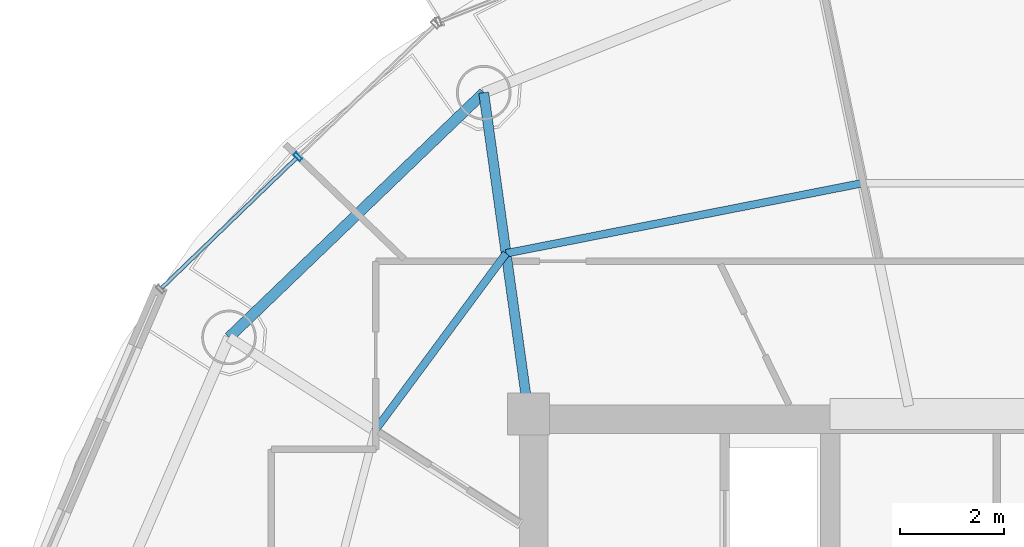
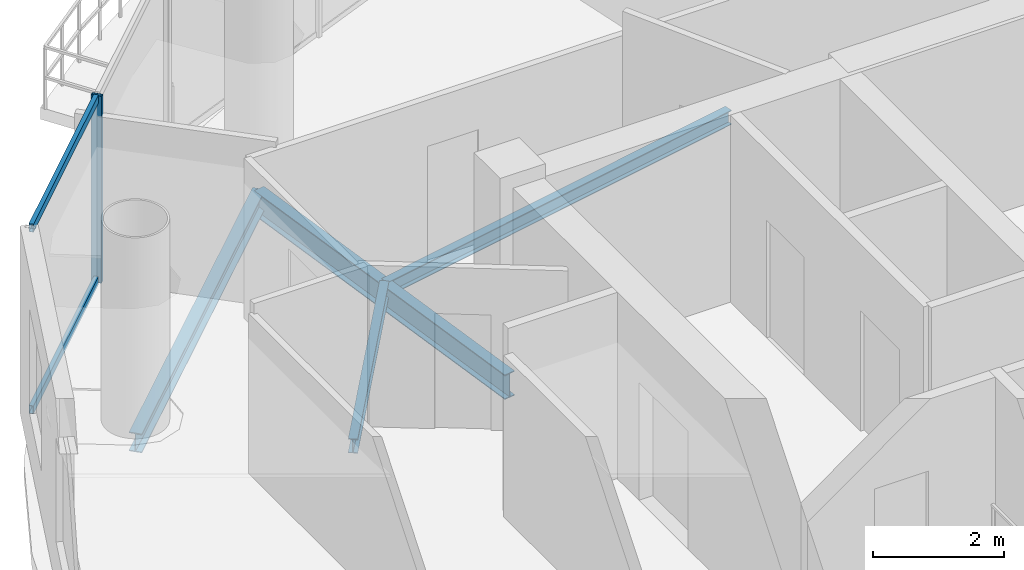
# One storey, part 9 of 24: 4 beams, 3 members, 1 element without a shape of its own.
"""IFC4 building model written with IfcOpenShell, lengths in metres."""

from ifc_helpers import new_model, si_unit, direction, frame, origin, origin_2d, place, context, subcontext, project, spatial, hollow_rectangle, i_section, extrude, source, transform, mapped, material, material_profile, profile_set, type_object, element, aggregate, save


model = new_model("IFC4")

# Units and contexts
model_context = context("Model", 3, precision=1e-05, world=origin(), true_north=direction((-0.2419218956, 0.970295726276)))
body_context = subcontext(model_context, "Body", "Model", "MODEL_VIEW")
ifc_project = project(units=[si_unit("LENGTHUNIT", "METRE"), si_unit("AREAUNIT", "SQUARE_METRE"), si_unit("VOLUMEUNIT", "CUBIC_METRE"), si_unit("PLANEANGLEUNIT", "RADIAN"), si_unit("MASSUNIT", "GRAM", prefix="KILO")], contexts=[model_context])

# Site, building, storey
site_placement = place(None, origin())
site = spatial("IfcSite", under=ifc_project, at=site_placement, CompositionType="ELEMENT")
building_placement = place(site_placement, origin())
building = spatial("IfcBuilding", under=site, at=building_placement, Name="Cobrevalo Terracotta Tower", CompositionType="ELEMENT")
storey_placement = place(building_placement, frame((0.0, 0.0, 278.199951171875)))
storey = spatial("IfcBuildingStorey", under=building, at=storey_placement, Name="L73", CompositionType="ELEMENT", Elevation=278.199951171875)

# Beams
ifc_material_1 = material(Name="Steel S355", Category="steel")
ifc_material_profile_1 = material_profile(ifc_material_1, i_section(OverallWidth=0.19091796875, OverallDepth=0.4599609375, WebThickness=0.010009765625, FlangeThickness=0.01611328125, at=origin_2d()), Name="W 460x82")
ifc_profile_set_1 = profile_set([ifc_material_profile_1], Name="Steel S355")
beam_type_1 = type_object("IfcBeamType", Name="Structural Beam W 460x82 (Steel S355)", PredefinedType="BEAM", material=ifc_profile_set_1)
beam_1_placement = place(storey_placement, frame((28.138671875, 40.9765625, -0.489990234375), z_axis=(0.138115657759, -0.990416107039, 0.0), x_axis=(0.990416107039, 0.138115657759, 0.0)))
element("IfcBeam", 1, at=beam_1_placement, inside=storey, type_object=beam_type_1, Name="L73 radial floor girder 06", PredefinedType="BEAM", context=body_context, shape_type="SweptSolid", body=[
    extrude(i_section(OverallWidth=0.19091796875, OverallDepth=0.4599609375, WebThickness=0.010009765625, FlangeThickness=0.01611328125, at=origin_2d()), origin(), (0.0, 0.0, 1.0), 6.236328125),
])
ifc_material_profile_2 = material_profile(ifc_material_1, i_section(OverallWidth=0.14794921875, OverallDepth=0.26611328125, WebThickness=0.007568359375, FlangeThickness=0.012939453125, at=origin_2d()), Name="W 250x44.8")
ifc_profile_set_2 = profile_set([ifc_material_profile_2], Name="Steel S355")
beam_type_2 = type_object("IfcBeamType", Name="Structural Joist W 250x44.8 (Steel S355)", PredefinedType="JOIST", material=ifc_profile_set_2)
beam_2_placement = place(storey_placement, frame((35.42431640625, 39.23876953125, -0.39306640625), z_axis=(-0.98113843359, -0.19330642548, 0.0), x_axis=(0.19330642548, -0.98113843359, 0.0)))
element("IfcBeam", 2, at=beam_2_placement, inside=storey, type_object=beam_type_2, Name="L73 circumferential secondary floor joist 05", PredefinedType="JOIST", context=body_context, shape_type="SweptSolid", body=[
    extrude(i_section(OverallWidth=0.14794921875, OverallDepth=0.26611328125, WebThickness=0.007568359375, FlangeThickness=0.012939453125, at=origin_2d()), origin(), (0.0, 0.0, 1.0), 6.98681640625),
])
beam_3_placement = place(storey_placement, frame((28.5693359375, 37.88818359375, -0.39306640625), z_axis=(-0.594799916617, -0.803873783123, 0.0), x_axis=(0.803873783123, -0.594799916617, 0.0)))
element("IfcBeam", 3, at=beam_3_placement, inside=storey, type_object=beam_type_2, Name="L73 circumferential secondary floor joist 06", PredefinedType="JOIST", context=body_context, shape_type="SweptSolid", body=[
    extrude(i_section(OverallWidth=0.14794921875, OverallDepth=0.26611328125, WebThickness=0.007568359375, FlangeThickness=0.012939453125, at=origin_2d()), origin(), (0.0, 0.0, 1.0), 4.2470703125),
])
ifc_material_profile_3 = material_profile(ifc_material_1, i_section(OverallWidth=0.205078125, OverallDepth=0.35400390625, WebThickness=0.009521484375, FlangeThickness=0.016845703125, at=origin_2d()), Name="W 360x79")
ifc_profile_set_3 = profile_set([ifc_material_profile_3], Name="Steel S355")
beam_type_3 = type_object("IfcBeamType", Name="Structural Spandrel W 360x79 (Steel S355)", PredefinedType="SPANDREL", material=ifc_profile_set_3)
beam_4_placement = place(storey_placement, frame((28.138671875, 40.9765625, -0.43701171875), z_axis=(-0.721183246144, -0.692744343522, 0.0), x_axis=(0.692744343522, -0.721183246144, 0.0)))
element("IfcBeam", 4, at=beam_4_placement, inside=storey, type_object=beam_type_3, Name="L73 perimeter ring spandrel 06", PredefinedType="SPANDREL", context=body_context, shape_type="SweptSolid", body=[
    extrude(i_section(OverallWidth=0.205078125, OverallDepth=0.35400390625, WebThickness=0.009521484375, FlangeThickness=0.016845703125, at=origin_2d()), origin(), (0.0, 0.0, 1.0), 6.79052734375),
])

# Curtain wall, members
ifc_material_2 = material(Name="Anodized aluminium", Category="aluminium")
curtain_wall_type = type_object("IfcCurtainWallType", Name="Upper-tower triple-glazed penthouse curtain wall CW-U3", PredefinedType="NOTDEFINED", material=ifc_material_2)
curtain_wall_placement = place(storey_placement, origin())
curtain_wall = element("IfcCurtainWall", 5, at=curtain_wall_placement, inside=storey, type_object=curtain_wall_type, Name="L73 curtain wall CW-L73-S06", PredefinedType="NOTDEFINED")
ifc_material_profile_4 = material_profile(ifc_material_2, hollow_rectangle(XDim=0.070068359375, YDim=0.169921875, WallThickness=0.00439453125, at=origin_2d()), Name="CWM 70x170")
ifc_profile_set_4 = profile_set([ifc_material_profile_4], Name="Anodized aluminium")
member_type_1 = type_object("IfcMemberType", Name="Upper tower unitised mullion 70x170", PredefinedType="MULLION", material=ifc_profile_set_4)
shared_shape_1 = source(origin(), body_context, "Body", "SweptSolid", [
    extrude(hollow_rectangle(XDim=0.070068359375, YDim=0.169921875, WallThickness=0.00439453125, at=origin_2d()), origin(), (0.0, 0.0, 1.0), 3.489990234375),
])
member_1_placement = place(storey_placement, frame((24.56640625, 39.748046875, 0.0), z_axis=(0.0, 0.0, 1.0), x_axis=(-0.71999418085, -0.69398010025, 0.0)))
member_1 = element("IfcMember", 6, at=member_1_placement, type_object=member_type_1, Name="CW-L73-S06 vertical mullion 02", PredefinedType="MULLION", context=body_context, shape_type="MappedRepresentation", body=[
    mapped(shared_shape_1, transform((0.0, 0.0, 0.0), scale=1.0)),
])
ifc_material_profile_5 = material_profile(ifc_material_2, hollow_rectangle(XDim=0.074951171875, YDim=0.14990234375, WallThickness=0.00439453125, at=origin_2d()), Name="CWT 75x150")
ifc_profile_set_5 = profile_set([ifc_material_profile_5], Name="Anodized aluminium")
member_type_2 = type_object("IfcMemberType", Name="Tower unitised aluminium transom 75x150", PredefinedType="USERDEFINED", material=ifc_profile_set_5)
shared_shape_2 = source(origin(), body_context, "Body", "SweptSolid", [
    extrude(hollow_rectangle(XDim=0.074951171875, YDim=0.14990234375, WallThickness=0.00439453125, at=origin_2d()), origin(), (0.0, 0.0, 1.0), 3.59130859375),
])
member_2_placement = place(storey_placement, frame((24.537841796875, 39.72021484375, 0.050048828125), z_axis=(-0.720005628362, -0.693968223427, 0.0), x_axis=(0.693968223427, -0.720005628362, 0.0)))
member_2 = element("IfcMember", 7, at=member_2_placement, type_object=member_type_2, Name="CW-L73-S06 transom B02-T1", ObjectType="TRANSOM", PredefinedType="USERDEFINED", context=body_context, shape_type="MappedRepresentation", body=[
    mapped(shared_shape_2, transform((0.0, 0.0, 0.0), scale=1.0)),
])
member_3_placement = place(storey_placement, frame((24.537841796875, 39.72021484375, 3.43994140625), z_axis=(-0.720005628362, -0.693968223427, 0.0), x_axis=(0.693968223427, -0.720005628362, 0.0)))
member_3 = element("IfcMember", 8, at=member_3_placement, type_object=member_type_2, Name="CW-L73-S06 transom B02-T2", ObjectType="TRANSOM", PredefinedType="USERDEFINED", context=body_context, shape_type="MappedRepresentation", body=[
    mapped(shared_shape_2, transform((0.0, 0.0, 0.0), scale=1.0)),
])
aggregate(curtain_wall, [member_1, member_2, member_3])

save(model, "model.ifc")
